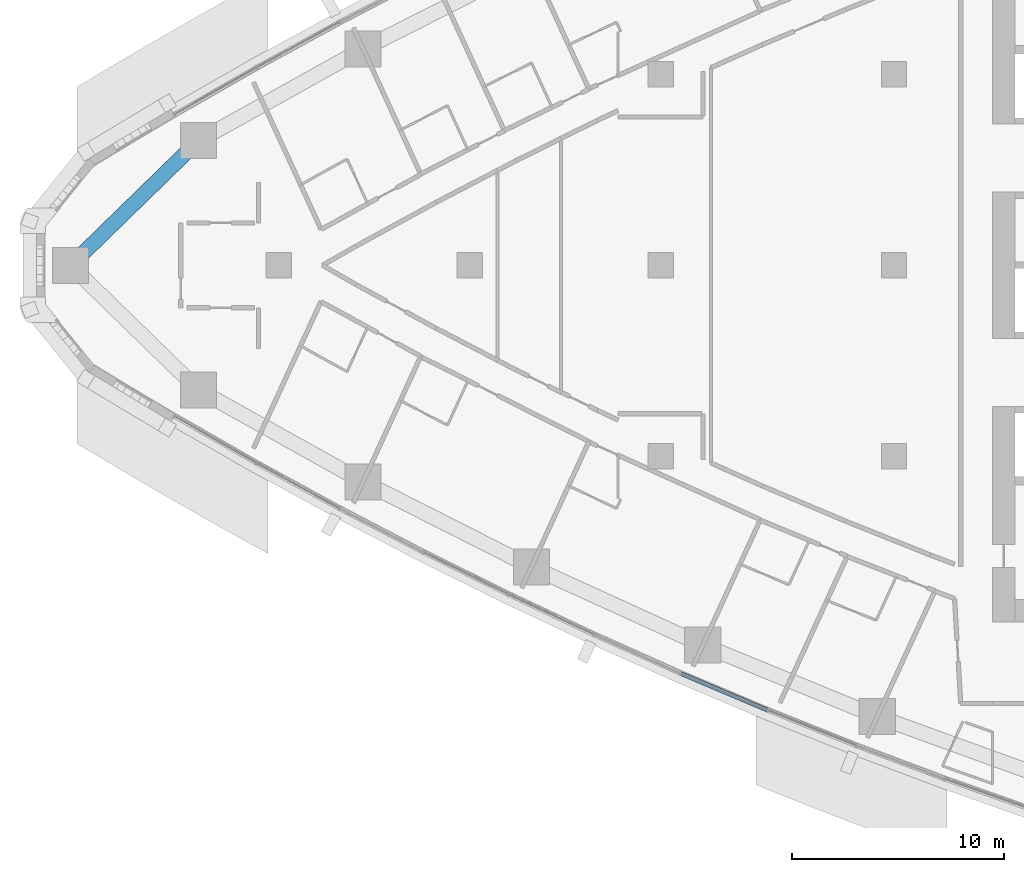
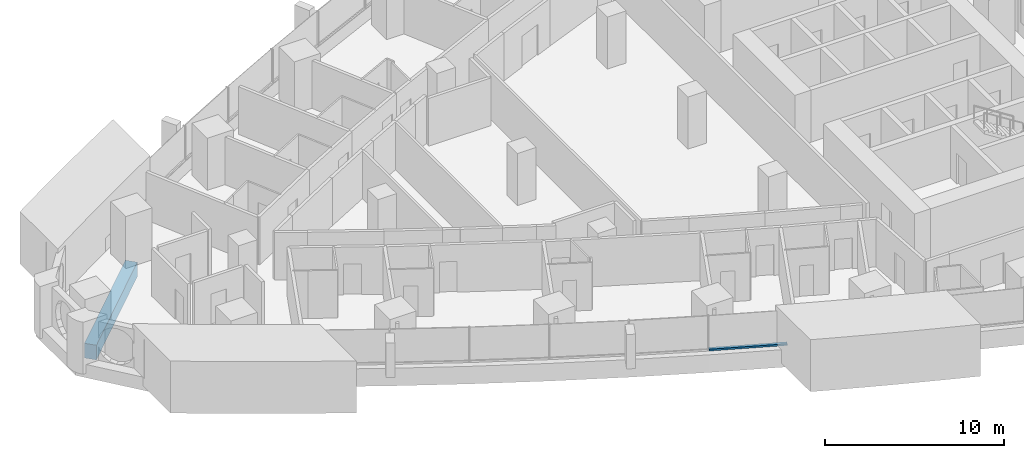
# One storey, part 3 of 17: 1 beam, 1 member, 1 element without a shape of its own.
"""IFC4 building model written with IfcOpenShell, lengths in metres."""

from ifc_helpers import new_model, si_unit, direction, frame, origin, origin_2d, place, context, subcontext, project, spatial, rectangle, extrude, material, layer, layer_set, material_profile, profile_set, type_object, element, aggregate, save


model = new_model("IFC4")

# Units and contexts
model_context = context("Model", 3, precision=1e-05, world=origin(), true_north=direction((0.0, 1.0)))
body_context = subcontext(model_context, "Body", "Model", "MODEL_VIEW")
ifc_project = project(units=[si_unit("LENGTHUNIT", "METRE"), si_unit("AREAUNIT", "SQUARE_METRE"), si_unit("VOLUMEUNIT", "CUBIC_METRE"), si_unit("PLANEANGLEUNIT", "RADIAN"), si_unit("MASSUNIT", "GRAM", prefix="KILO")], contexts=[model_context])

# Site, building, storey
site_placement = place(None, origin())
site = spatial("IfcSite", under=ifc_project, at=site_placement, CompositionType="ELEMENT")
building_placement = place(site_placement, origin())
building = spatial("IfcBuilding", under=site, at=building_placement, Name="Ostrand Prow Hotel Tower", CompositionType="ELEMENT")
storey_placement = place(building_placement, frame((0.0, 0.0, 113.300048828125)))
storey = spatial("IfcBuildingStorey", under=building, at=storey_placement, Name="L27", CompositionType="ELEMENT", Elevation=113.300048828125)

# Beam
ifc_material_1 = material(Name="Concrete C80/95", Category="concrete")
ifc_material_profile_1 = material_profile(ifc_material_1, rectangle(XDim=0.699951171875, YDim=1.0, at=origin_2d()), Name="RC 700x1000")
ifc_profile_set_1 = profile_set([ifc_material_profile_1], Name="Concrete C80/95")
beam_type = type_object("IfcBeamType", Name="Edge beam 700x1000 C80/95", PredefinedType="SPANDREL", material=ifc_profile_set_1)
beam_placement = place(storey_placement, frame((12.221435546875, 5.876220703125, -0.800048828125), z_axis=(-0.716082759826, -0.698015387423, 0.0), x_axis=(0.698015387423, -0.716082759826, 0.0)))
element("IfcBeam", 1, at=beam_placement, inside=storey, type_object=beam_type, Name="Edge beam N6-P", PredefinedType="SPANDREL", context=body_context, shape_type="SweptSolid", body=[
    extrude(rectangle(XDim=0.699951171875, YDim=1.0, at=origin_2d()), origin(), (0.0, 0.0, 1.0), 8.41845703125),
])

# Curtain wall, member
ifc_material_2 = material(Name="Insulated glass in bronze anodised frame", Category="glass")
ifc_layer = layer(ifc_material_2, 0.199951171875)
ifc_layer_set = layer_set([ifc_layer], Name="Insulated glass in bronze anodised frame")
curtain_wall_type = type_object("IfcCurtainWallType", Name="Strip curtain wall, fritted glass over bronze spandrel", PredefinedType="NOTDEFINED", material=ifc_layer_set)
curtain_wall_placement = place(storey_placement, origin())
curtain_wall = element("IfcCurtainWall", 2, at=curtain_wall_placement, inside=storey, type_object=curtain_wall_type, Name="CW1 run CWS4", PredefinedType="NOTDEFINED")
ifc_material_3 = material(Name="Bronze anodised aluminium", Category="aluminium")
ifc_material_profile_2 = material_profile(ifc_material_3, rectangle(XDim=0.199951171875, YDim=0.1201171875, at=origin_2d()), Name="Transom 120x200 bronze anodised aluminium")
ifc_profile_set_2 = profile_set([ifc_material_profile_2], Name="Bronze anodised aluminium")
member_type = type_object("IfcMemberType", Name="Transom 120x200 bronze anodised aluminium", PredefinedType="USERDEFINED", material=ifc_profile_set_2)
member_placement = place(storey_placement, frame((34.978271484375, -19.24462890625, 0.9599609375), z_axis=(0.921006250528, -0.389547797438, 0.0), x_axis=(0.389547797438, 0.921006250528, 0.0)))
member = element("IfcMember", 3, at=member_placement, type_object=member_type, Name="CW1 transom 1.1", ObjectType="TRANSOM", PredefinedType="USERDEFINED", context=body_context, shape_type="SweptSolid", body=[
    extrude(rectangle(XDim=0.199951171875, YDim=0.1201171875, at=origin_2d()), origin(), (0.0, 0.0, 1.0), 4.406005859375),
])
aggregate(curtain_wall, [member])

save(model, "model.ifc")
